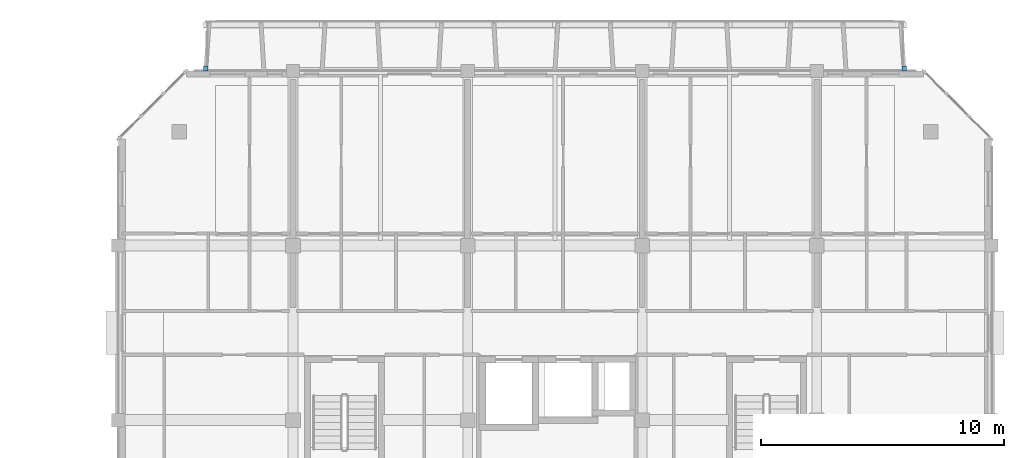
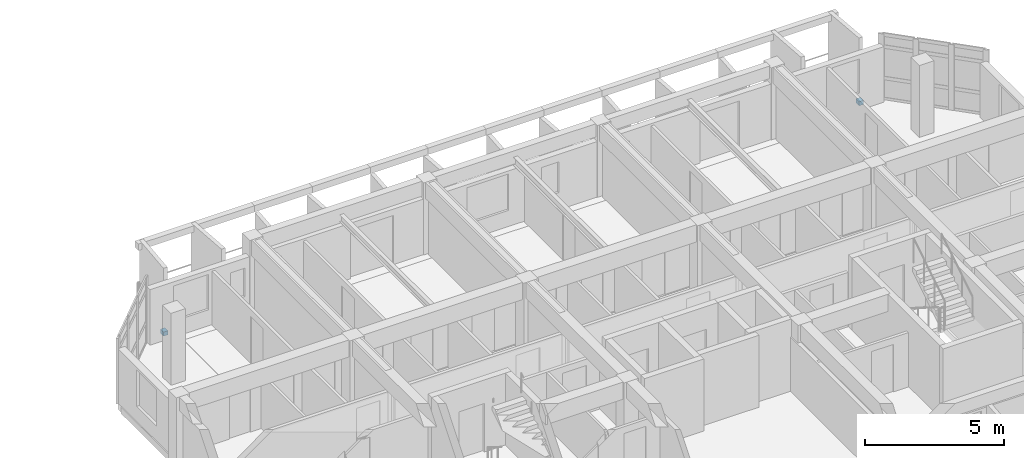
# One storey, part 40 of 51: 2 discrete accessories.
"""IFC4 building model written with IfcOpenShell, lengths in metres."""

from ifc_helpers import new_model, si_unit, direction, frame, origin, origin_2d, place, context, subcontext, project, spatial, rectangle, extrude, material, type_object, element, save


model = new_model("IFC4")

# Units and contexts
model_context = context("Model", 3, precision=1e-05, world=origin(), true_north=direction((0.0, 1.0)))
body_context = subcontext(model_context, "Body", "Model", "MODEL_VIEW")
ifc_project = project(units=[si_unit("LENGTHUNIT", "METRE"), si_unit("AREAUNIT", "SQUARE_METRE"), si_unit("VOLUMEUNIT", "CUBIC_METRE"), si_unit("PLANEANGLEUNIT", "RADIAN"), si_unit("MASSUNIT", "GRAM", prefix="KILO")], contexts=[model_context])

# Site, building, storey
site_placement = place(None, origin())
site = spatial("IfcSite", under=ifc_project, at=site_placement, CompositionType="ELEMENT")
building_placement = place(site_placement, origin())
building = spatial("IfcBuilding", under=site, at=building_placement, Name="Ochrevale Crest", CompositionType="ELEMENT")
storey_placement = place(building_placement, frame((0.0, 0.0, 11.85009765625)))
storey = spatial("IfcBuildingStorey", under=building, at=storey_placement, Name="L03", CompositionType="ELEMENT", Elevation=11.85009765625)

# Discrete accessories
ifc_material = material(Name="Galvanised steel", Category="steel")
discrete_accessory_type = type_object("IfcDiscreteAccessoryType", Name="ACC-BRK-HC", PredefinedType="BRACKET", material=ifc_material)
for number, where, z_axis, x_axis, name in (
    (1, (133.199951171875, 93.699951171875, 0.0), (0.0, 0.0, 1.0), (1.0, 0.0, 0.0), "Block D L03 precast loggia corbel bracket"),
    (2, (162.0, 93.699951171875, 0.0), (0.0, 0.0, 1.0), (1.0, 0.0, 0.0), "Block D L03 precast loggia corbel bracket"),
):
    element("IfcDiscreteAccessory", number, at=place(storey_placement, frame(where, z_axis=z_axis, x_axis=x_axis)), inside=storey, type_object=discrete_accessory_type, Name=name, PredefinedType="BRACKET", context=body_context, shape_type="SweptSolid", body=[
        extrude(rectangle(XDim=0.179931640625, YDim=0.219970703125, at=origin_2d()), origin(), (0.0, 0.0, 1.0), 0.179931640625),
    ])

save(model, "model.ifc")
